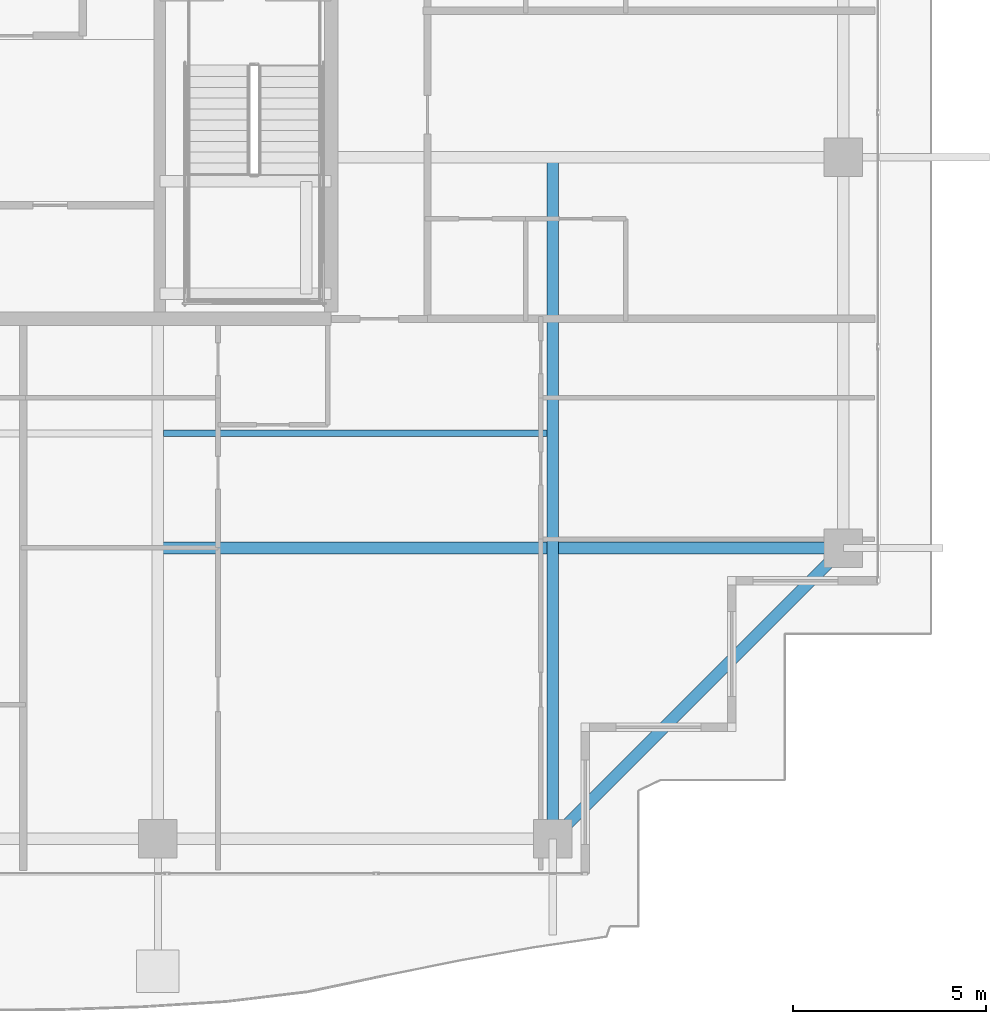
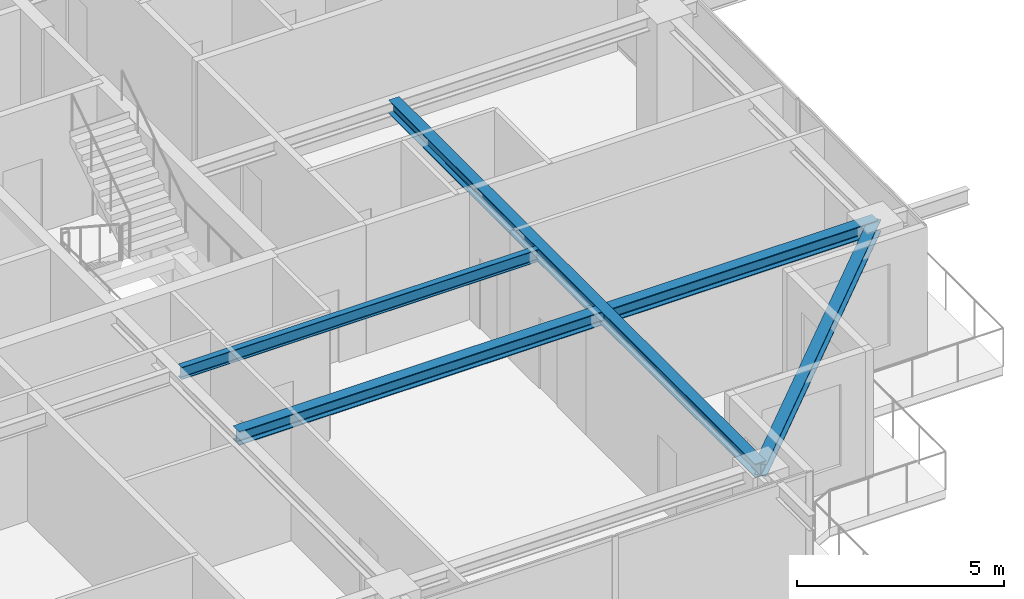
# One storey, part 12 of 38: 4 beams.
"""IFC4 building model written with IfcOpenShell, lengths in metres."""

from ifc_helpers import new_model, si_unit, direction, frame, origin, origin_2d, place, context, subcontext, project, spatial, i_section, extrude, source, transform, mapped, material, material_profile, profile_set, type_object, element, save


model = new_model("IFC4")

# Units and contexts
model_context = context("Model", 3, precision=1e-05, world=origin(), true_north=direction((0.0, 1.0)))
body_context = subcontext(model_context, "Body", "Model", "MODEL_VIEW")
ifc_project = project(units=[si_unit("LENGTHUNIT", "METRE"), si_unit("AREAUNIT", "SQUARE_METRE"), si_unit("VOLUMEUNIT", "CUBIC_METRE"), si_unit("PLANEANGLEUNIT", "RADIAN"), si_unit("MASSUNIT", "GRAM", prefix="KILO")], contexts=[model_context])

# Site, building, storey
site_placement = place(None, origin())
site = spatial("IfcSite", under=ifc_project, at=site_placement, CompositionType="ELEMENT")
building_placement = place(site_placement, origin())
building = spatial("IfcBuilding", under=site, at=building_placement, Name="Serunith Strait Residences", CompositionType="ELEMENT")
storey_placement = place(building_placement, frame((0.0, 0.0, 321.800048828125)))
storey = spatial("IfcBuildingStorey", under=building, at=storey_placement, Name="L80", CompositionType="ELEMENT", Elevation=321.800048828125)

# Beams
ifc_material = material(Name="Steel S355J2", Category="steel")
ifc_material_profile_1 = material_profile(ifc_material, i_section(OverallWidth=0.169921875, OverallDepth=0.360107421875, WebThickness=0.008056640625, FlangeThickness=0.0126953125, FilletRadius=0.01806640625, at=origin_2d()), Name="IPE 360")
ifc_profile_set_1 = profile_set([ifc_material_profile_1], Name="Steel S355J2")
beam_type_1 = type_object("IfcBeamType", Name="BM-IPE360", PredefinedType="JOIST", material=ifc_profile_set_1)
shared_shape_1 = source(origin(), body_context, "Body", "SweptSolid", [
    extrude(i_section(OverallWidth=0.169921875, OverallDepth=0.360107421875, WebThickness=0.008056640625, FlangeThickness=0.0126953125, FilletRadius=0.01806640625, at=origin_2d()), origin(), (0.0, 0.0, 1.0), 9.949951171875),
])
beam_1_placement = place(storey_placement, frame((37.050048828125, 13.824951171875, 3.60693359375), z_axis=(1.0, 0.0, 0.0), x_axis=(0.0, 1.0, 0.0)))
element("IfcBeam", 1, at=beam_1_placement, inside=storey, type_object=beam_type_1, Name="L80 Composite Floor Joist 03", PredefinedType="JOIST", context=body_context, shape_type="MappedRepresentation", body=[
    mapped(shared_shape_1, transform((0.0, 0.0, 0.0), scale=1.0)),
])
ifc_material_profile_2 = material_profile(ifc_material, i_section(OverallWidth=0.300048828125, OverallDepth=0.39990234375, WebThickness=0.013427734375, FlangeThickness=0.02392578125, FilletRadius=0.027099609375, at=origin_2d()), Name="HEB 400")
ifc_profile_set_2 = profile_set([ifc_material_profile_2], Name="Steel S355J2")
beam_type_2 = type_object("IfcBeamType", Name="BM-HEB400", PredefinedType="BEAM", material=ifc_profile_set_2)
shared_shape_2 = source(origin(), body_context, "Body", "SweptSolid", [
    extrude(i_section(OverallWidth=0.300048828125, OverallDepth=0.39990234375, WebThickness=0.013427734375, FlangeThickness=0.02392578125, FilletRadius=0.027099609375, at=origin_2d()), origin(), (0.0, 0.0, 1.0), 17.699951171875),
])
beam_2_placement = place(storey_placement, frame((47.14990234375, 21.0, 3.5869140625), z_axis=(0.0, -1.0, 0.0), x_axis=(1.0, 0.0, 0.0)))
element("IfcBeam", 2, at=beam_2_placement, inside=storey, type_object=beam_type_2, Name="L80 Orthogonal Corner Girder TC-S4", PredefinedType="BEAM", context=body_context, shape_type="MappedRepresentation", body=[
    mapped(shared_shape_2, transform((0.0, 0.0, 0.0), scale=1.0)),
])
shared_shape_3 = source(origin(), body_context, "Body", "SweptSolid", [
    extrude(i_section(OverallWidth=0.300048828125, OverallDepth=0.39990234375, WebThickness=0.013427734375, FlangeThickness=0.02392578125, FilletRadius=0.027099609375, at=origin_2d()), origin(), (0.0, 0.0, 1.0), 17.800048828125),
])
beam_3_placement = place(storey_placement, frame((36.89990234375, 10.85009765625, 3.5869140625), z_axis=(1.0, 0.0, 0.0), x_axis=(0.0, 1.0, 0.0)))
element("IfcBeam", 3, at=beam_3_placement, inside=storey, type_object=beam_type_2, Name="L80 Orthogonal Corner Girder TC-E1", PredefinedType="BEAM", context=body_context, shape_type="MappedRepresentation", body=[
    mapped(shared_shape_3, transform((0.0, 0.0, 0.0), scale=1.0)),
])
ifc_material_profile_3 = material_profile(ifc_material, i_section(OverallWidth=0.300048828125, OverallDepth=0.360107421875, WebThickness=0.012451171875, FlangeThickness=0.0224609375, FilletRadius=0.027099609375, at=origin_2d()), Name="HEB 360")
ifc_profile_set_3 = profile_set([ifc_material_profile_3], Name="Steel S355J2")
beam_type_3 = type_object("IfcBeamType", Name="BM-HEB360", PredefinedType="BEAM", material=ifc_profile_set_3)
shared_shape_4 = source(origin(), body_context, "Body", "SweptSolid", [
    extrude(i_section(OverallWidth=0.300048828125, OverallDepth=0.360107421875, WebThickness=0.012451171875, FlangeThickness=0.0224609375, FilletRadius=0.027099609375, at=origin_2d()), origin(), (0.0, 0.0, 1.0), 10.677490234375),
])
beam_4_placement = place(storey_placement, frame((47.14990234375, 3.300048828125, 3.576904296875), z_axis=(0.707106781187, 0.707106781187, 0.0), x_axis=(-0.707106781187, 0.707106781187, 0.0)))
element("IfcBeam", 4, at=beam_4_placement, inside=storey, type_object=beam_type_3, Name="L80 Perimeter Ring Beam 04", PredefinedType="BEAM", context=body_context, shape_type="MappedRepresentation", body=[
    mapped(shared_shape_4, transform((0.0, 0.0, 0.0), scale=1.0)),
])

save(model, "model.ifc")
